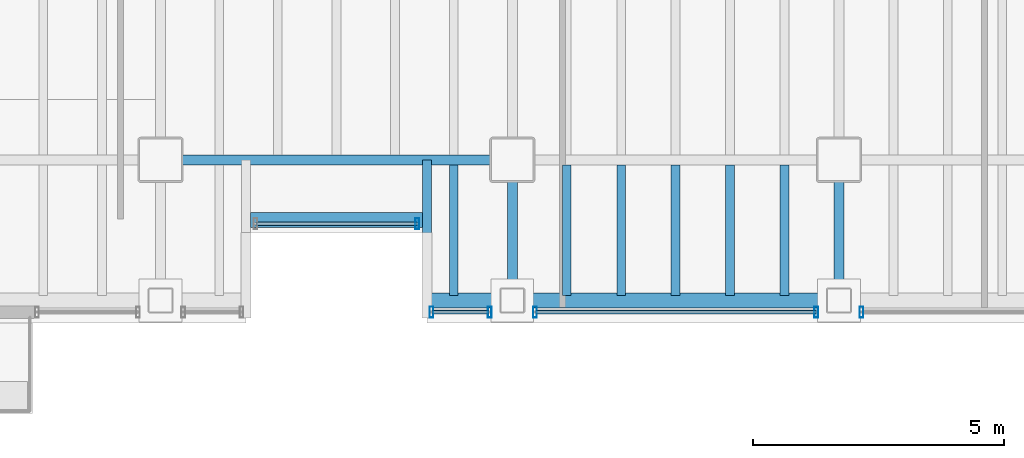
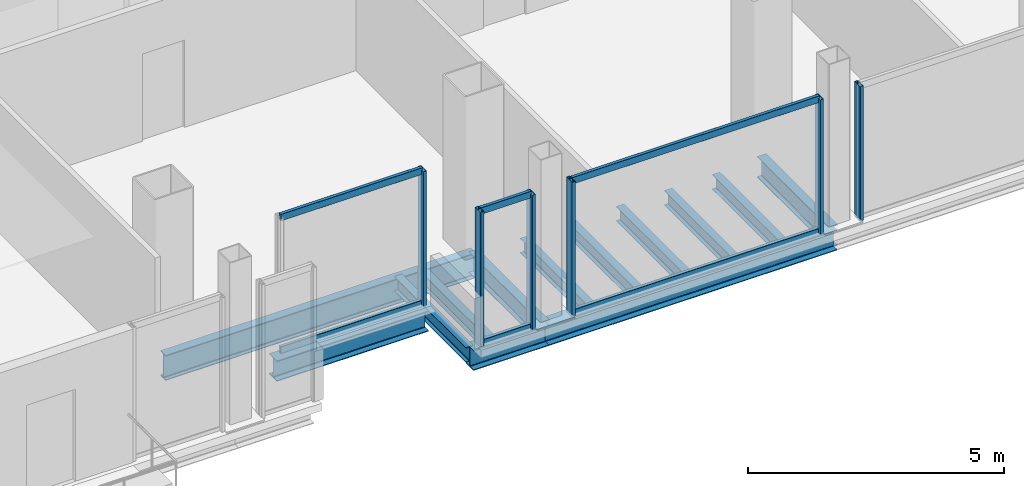
# One storey, part 4 of 15: 13 beams, 12 members, 4 elements without a shape of their own.
"""IFC4 building model written with IfcOpenShell, lengths in metres."""

from ifc_helpers import new_model, si_unit, direction, frame, origin, origin_2d, place, context, subcontext, project, spatial, hollow_rectangle, i_section, extrude, material, material_profile, profile_set, type_object, element, aggregate, save


model = new_model("IFC4")

# Units and contexts
model_context = context("Model", 3, precision=1e-05, world=origin(), true_north=direction((0.0, 1.0)))
body_context = subcontext(model_context, "Body", "Model", "MODEL_VIEW")
ifc_project = project(units=[si_unit("LENGTHUNIT", "METRE"), si_unit("AREAUNIT", "SQUARE_METRE"), si_unit("VOLUMEUNIT", "CUBIC_METRE"), si_unit("PLANEANGLEUNIT", "RADIAN"), si_unit("MASSUNIT", "GRAM", prefix="KILO")], contexts=[model_context])

# Site, building, storey
site_placement = place(None, origin())
site = spatial("IfcSite", under=ifc_project, at=site_placement, CompositionType="ELEMENT")
building_placement = place(site_placement, origin())
building = spatial("IfcBuilding", under=site, at=building_placement, Name="Noeulbin Bourse Tower", CompositionType="ELEMENT")
storey_placement = place(building_placement, frame((0.0, 0.0, 189.0)))
storey = spatial("IfcBuildingStorey", under=building, at=storey_placement, Name="L47", CompositionType="ELEMENT", Elevation=189.0)

# Beams
ifc_material_1 = material(Name="Steel S355", Category="steel")
ifc_material_profile_1 = material_profile(ifc_material_1, i_section(OverallWidth=0.199951171875, OverallDepth=0.5, WebThickness=0.010009765625, FlangeThickness=0.01611328125, FilletRadius=0.02001953125, at=origin_2d()), Name="H-500x200x10x16", Category="LoadBearing")
ifc_profile_set_1 = profile_set([ifc_material_profile_1], Name="Steel S355")
beam_type_1 = type_object("IfcBeamType", Name="BM-GRD-500", PredefinedType="USERDEFINED", material=ifc_profile_set_1)
for number, where, z_axis, x_axis, name in (
    (1, (31.0, 17.199951171875, -0.429931640625), (0.0, 1.0, 0.0), (-1.0, 0.0, 0.0), "Tower Primary Girder NS L47-3.1"),
    (2, (37.5, 17.199951171875, -0.429931640625), (0.0, 1.0, 0.0), (-1.0, 0.0, 0.0), "Tower Primary Girder NS L47-4.1"),
):
    element("IfcBeam", number, at=place(storey_placement, frame(where, z_axis=z_axis, x_axis=x_axis)), inside=storey, type_object=beam_type_1, Name=name, ObjectType="GIRDER", PredefinedType="USERDEFINED", context=body_context, shape_type="SweptSolid", body=[
        extrude(i_section(OverallWidth=0.199951171875, OverallDepth=0.5, WebThickness=0.010009765625, FlangeThickness=0.01611328125, FilletRadius=0.02001953125, at=origin_2d()), origin(), (0.0, 0.0, 1.0), 2.800048828125),
    ])
ifc_material_profile_2 = material_profile(ifc_material_1, i_section(OverallWidth=0.199951171875, OverallDepth=0.60009765625, WebThickness=0.010986328125, FlangeThickness=0.01708984375, FilletRadius=0.02197265625, at=origin_2d()), Name="H-600x200x11x17", Category="LoadBearing")
ifc_profile_set_2 = profile_set([ifc_material_profile_2], Name="Steel S355")
beam_type_2 = type_object("IfcBeamType", Name="BM-GRD-600", PredefinedType="USERDEFINED", material=ifc_profile_set_2)
beam_1_placement = place(storey_placement, frame((24.0, 20.0, -0.47998046875), z_axis=(1.0, 0.0, 0.0), x_axis=(0.0, 1.0, 0.0)))
element("IfcBeam", 3, at=beam_1_placement, inside=storey, type_object=beam_type_2, Name="Tower Primary Girder EW L47-1.3", ObjectType="GIRDER", PredefinedType="USERDEFINED", context=body_context, shape_type="SweptSolid", body=[
    extrude(i_section(OverallWidth=0.199951171875, OverallDepth=0.60009765625, WebThickness=0.010986328125, FlangeThickness=0.01708984375, FilletRadius=0.02197265625, at=origin_2d()), origin(), (0.0, 0.0, 1.0), 7.0),
])
ifc_material_profile_3 = material_profile(ifc_material_1, i_section(OverallWidth=0.175048828125, OverallDepth=0.35009765625, WebThickness=0.007080078125, FlangeThickness=0.010986328125, FilletRadius=0.013916015625, at=origin_2d()), Name="H-350x175x7x11", Category="LoadBearing")
ifc_profile_set_3 = profile_set([ifc_material_profile_3], Name="Steel S355")
beam_type_3 = type_object("IfcBeamType", Name="BM-JST-350", PredefinedType="JOIST", material=ifc_profile_set_3)
beam_2_placement = place(storey_placement, frame((29.300048828125, 17.199951171875, -0.35498046875), z_axis=(0.0, 1.0, 0.0), x_axis=(-1.0, 0.0, 0.0)))
element("IfcBeam", 4, at=beam_2_placement, inside=storey, type_object=beam_type_3, Name="BM-L47-SRT-E", PredefinedType="JOIST", context=body_context, shape_type="SweptSolid", body=[
    extrude(i_section(OverallWidth=0.175048828125, OverallDepth=0.35009765625, WebThickness=0.007080078125, FlangeThickness=0.010986328125, FilletRadius=0.013916015625, at=origin_2d()), origin(), (0.0, 0.0, 1.0), 2.800048828125),
])
for number, where, z_axis, x_axis, name in (
    (5, (29.833251953125, 17.300048828125, -0.35498046875), (0.0, 1.0, 0.0), (-1.0, 0.0, 0.0), "Tower Composite Joist L47-34"),
    (6, (32.083251953125, 17.300048828125, -0.35498046875), (0.0, 1.0, 0.0), (-1.0, 0.0, 0.0), "Tower Composite Joist L47-37"),
    (7, (33.166748046875, 17.300048828125, -0.35498046875), (0.0, 1.0, 0.0), (-1.0, 0.0, 0.0), "Tower Composite Joist L47-40"),
    (8, (34.25, 17.300048828125, -0.35498046875), (0.0, 1.0, 0.0), (-1.0, 0.0, 0.0), "Tower Composite Joist L47-43"),
    (9, (35.333251953125, 17.300048828125, -0.35498046875), (0.0, 1.0, 0.0), (-1.0, 0.0, 0.0), "Tower Composite Joist L47-46"),
    (10, (36.416748046875, 17.300048828125, -0.35498046875), (0.0, 1.0, 0.0), (-1.0, 0.0, 0.0), "Tower Composite Joist L47-49"),
):
    element("IfcBeam", number, at=place(storey_placement, frame(where, z_axis=z_axis, x_axis=x_axis)), inside=storey, type_object=beam_type_3, Name=name, PredefinedType="JOIST", context=body_context, shape_type="SweptSolid", body=[
        extrude(i_section(OverallWidth=0.175048828125, OverallDepth=0.35009765625, WebThickness=0.007080078125, FlangeThickness=0.010986328125, FilletRadius=0.013916015625, at=origin_2d()), origin(), (0.0, 0.0, 1.0), 2.599853515625),
    ])
ifc_material_profile_4 = material_profile(ifc_material_1, i_section(OverallWidth=0.300048828125, OverallDepth=0.488037109375, WebThickness=0.010986328125, FlangeThickness=0.01806640625, FilletRadius=0.02197265625, at=origin_2d()), Name="H-488x300x11x18", Category="LoadBearing")
ifc_profile_set_4 = profile_set([ifc_material_profile_4], Name="Steel S355")
beam_type_4 = type_object("IfcBeamType", Name="BM-SPN-488", PredefinedType="SPANDREL", material=ifc_profile_set_4)
beam_3_placement = place(storey_placement, frame((25.78759765625, 18.800048828125, -0.424072265625), z_axis=(1.0, 0.0, 0.0), x_axis=(0.0, 1.0, 0.0)))
element("IfcBeam", 11, at=beam_3_placement, inside=storey, type_object=beam_type_4, Name="South Recess Spandrel L47-2B", PredefinedType="SPANDREL", context=body_context, shape_type="SweptSolid", body=[
    extrude(i_section(OverallWidth=0.300048828125, OverallDepth=0.488037109375, WebThickness=0.010986328125, FlangeThickness=0.01806640625, FilletRadius=0.02197265625, at=origin_2d()), origin(), (0.0, 0.0, 1.0), 3.4248046875),
])
beam_4_placement = place(storey_placement, frame((29.300048828125, 17.199951171875, -0.424072265625), z_axis=(1.0, 0.0, 0.0), x_axis=(0.0, 1.0, 0.0)))
element("IfcBeam", 12, at=beam_4_placement, inside=storey, type_object=beam_type_4, Name="South Spandrel L47-2C", PredefinedType="SPANDREL", context=body_context, shape_type="SweptSolid", body=[
    extrude(i_section(OverallWidth=0.300048828125, OverallDepth=0.488037109375, WebThickness=0.010986328125, FlangeThickness=0.01806640625, FilletRadius=0.02197265625, at=origin_2d()), origin(), (0.0, 0.0, 1.0), 1.699951171875),
])
beam_5_placement = place(storey_placement, frame((31.0, 17.199951171875, -0.424072265625), z_axis=(1.0, 0.0, 0.0), x_axis=(0.0, 1.0, 0.0)))
element("IfcBeam", 13, at=beam_5_placement, inside=storey, type_object=beam_type_4, Name="South Spandrel L47-3", PredefinedType="SPANDREL", context=body_context, shape_type="SweptSolid", body=[
    extrude(i_section(OverallWidth=0.300048828125, OverallDepth=0.488037109375, WebThickness=0.010986328125, FlangeThickness=0.01806640625, FilletRadius=0.02197265625, at=origin_2d()), origin(), (0.0, 0.0, 1.0), 6.5),
])

# Curtain wall, member
ifc_material_2 = material(Name="Dark Tinted Triple Glazing", Category="glass")
curtain_wall_type = type_object("IfcCurtainWallType", Name="CW-SYS-3", PredefinedType="NOTDEFINED", material=ifc_material_2)
curtain_wall_1_placement = place(storey_placement, origin())
curtain_wall_1 = element("IfcCurtainWall", 14, at=curtain_wall_1_placement, inside=storey, type_object=curtain_wall_type, Name="Unitised Curtain Wall CW-L47-SREC", PredefinedType="NOTDEFINED")
ifc_material_3 = material(Name="Anodised Aluminium 6063-T6", Category="aluminium")
ifc_material_profile_5 = material_profile(ifc_material_3, hollow_rectangle(XDim=0.074951171875, YDim=0.219970703125, WallThickness=0.0048828125, InnerFilletRadius=0.00244140625, OuterFilletRadius=0.0048828125, at=origin_2d()), Name="ALU-MULL-75x220x5", Category="LoadBearing")
ifc_profile_set_5 = profile_set([ifc_material_profile_5], Name="Anodised Aluminium 6063-T6")
member_type_1 = type_object("IfcMemberType", Name="CW-SYS-3-MUL", PredefinedType="MULLION", material=ifc_profile_set_5)
member_1_placement = place(storey_placement, frame((29.110107421875, 18.72998046875, -0.02001953125), z_axis=(0.0, 0.0, 1.0), x_axis=(1.0, 0.0, 0.0)))
member_1 = element("IfcMember", 15, at=member_1_placement, type_object=member_type_1, Name="Curtain Wall Mullion CW-L47-SREC-M01", PredefinedType="MULLION", context=body_context, shape_type="SweptSolid", body=[
    extrude(hollow_rectangle(XDim=0.074951171875, YDim=0.219970703125, WallThickness=0.0048828125, InnerFilletRadius=0.00244140625, OuterFilletRadius=0.0048828125, at=origin_2d()), origin(), (0.0, 0.0, 1.0), 3.219970703125),
])

# Curtain wall, members
curtain_wall_2_placement = place(storey_placement, origin())
curtain_wall_2 = element("IfcCurtainWall", 16, at=curtain_wall_2_placement, inside=storey, type_object=curtain_wall_type, Name="Unitised Curtain Wall CW-L47-S3-S1", PredefinedType="NOTDEFINED")
member_2_placement = place(storey_placement, frame((29.389892578125, 16.969970703125, -0.02001953125), z_axis=(0.0, 0.0, 1.0), x_axis=(1.0, 0.0, 0.0)))
member_2 = element("IfcMember", 17, at=member_2_placement, type_object=member_type_1, Name="Curtain Wall Mullion CW-L47-S3-S1-M00", PredefinedType="MULLION", context=body_context, shape_type="SweptSolid", body=[
    extrude(hollow_rectangle(XDim=0.074951171875, YDim=0.219970703125, WallThickness=0.0048828125, InnerFilletRadius=0.00244140625, OuterFilletRadius=0.0048828125, at=origin_2d()), origin(), (0.0, 0.0, 1.0), 3.219970703125),
])
member_3_placement = place(storey_placement, frame((30.550048828125, 16.969970703125, -0.02001953125), z_axis=(0.0, 0.0, 1.0), x_axis=(1.0, 0.0, 0.0)))
member_3 = element("IfcMember", 18, at=member_3_placement, type_object=member_type_1, Name="Curtain Wall Mullion CW-L47-S3-S1-M01", PredefinedType="MULLION", context=body_context, shape_type="SweptSolid", body=[
    extrude(hollow_rectangle(XDim=0.074951171875, YDim=0.219970703125, WallThickness=0.0048828125, InnerFilletRadius=0.00244140625, OuterFilletRadius=0.0048828125, at=origin_2d()), origin(), (0.0, 0.0, 1.0), 3.219970703125),
])

curtain_wall_3_placement = place(storey_placement, origin())
curtain_wall_3 = element("IfcCurtainWall", 19, at=curtain_wall_3_placement, inside=storey, type_object=curtain_wall_type, Name="Unitised Curtain Wall CW-L47-S3-S2", PredefinedType="NOTDEFINED")
member_4_placement = place(storey_placement, frame((31.449951171875, 16.969970703125, -0.02001953125), z_axis=(0.0, 0.0, 1.0), x_axis=(1.0, 0.0, 0.0)))
member_4 = element("IfcMember", 20, at=member_4_placement, type_object=member_type_1, Name="Curtain Wall Mullion CW-L47-S3-S2-M00", PredefinedType="MULLION", context=body_context, shape_type="SweptSolid", body=[
    extrude(hollow_rectangle(XDim=0.074951171875, YDim=0.219970703125, WallThickness=0.0048828125, InnerFilletRadius=0.00244140625, OuterFilletRadius=0.0048828125, at=origin_2d()), origin(), (0.0, 0.0, 1.0), 3.219970703125),
])
member_5_placement = place(storey_placement, frame((37.050048828125, 16.969970703125, -0.02001953125), z_axis=(0.0, 0.0, 1.0), x_axis=(1.0, 0.0, 0.0)))
member_5 = element("IfcMember", 21, at=member_5_placement, type_object=member_type_1, Name="Curtain Wall Mullion CW-L47-S3-S2-M01", PredefinedType="MULLION", context=body_context, shape_type="SweptSolid", body=[
    extrude(hollow_rectangle(XDim=0.074951171875, YDim=0.219970703125, WallThickness=0.0048828125, InnerFilletRadius=0.00244140625, OuterFilletRadius=0.0048828125, at=origin_2d()), origin(), (0.0, 0.0, 1.0), 3.219970703125),
])

# Curtain wall, member
curtain_wall_4_placement = place(storey_placement, origin())
curtain_wall_4 = element("IfcCurtainWall", 22, at=curtain_wall_4_placement, inside=storey, type_object=curtain_wall_type, Name="Unitised Curtain Wall CW-L47-S3-S3", PredefinedType="NOTDEFINED")
member_6_placement = place(storey_placement, frame((37.949951171875, 16.969970703125, -0.02001953125), z_axis=(0.0, 0.0, 1.0), x_axis=(1.0, 0.0, 0.0)))
member_6 = element("IfcMember", 23, at=member_6_placement, type_object=member_type_1, Name="Curtain Wall Mullion CW-L47-S3-S3-M00", PredefinedType="MULLION", context=body_context, shape_type="SweptSolid", body=[
    extrude(hollow_rectangle(XDim=0.074951171875, YDim=0.219970703125, WallThickness=0.0048828125, InnerFilletRadius=0.00244140625, OuterFilletRadius=0.0048828125, at=origin_2d()), origin(), (0.0, 0.0, 1.0), 3.219970703125),
])
aggregate(curtain_wall_4, [member_6])

# Member
ifc_material_profile_6 = material_profile(ifc_material_3, hollow_rectangle(XDim=0.074951171875, YDim=0.159912109375, WallThickness=0.0048828125, InnerFilletRadius=0.00244140625, OuterFilletRadius=0.0048828125, at=origin_2d()), Name="ALU-TRAN-75x160x5", Category="LoadBearing")
ifc_profile_set_6 = profile_set([ifc_material_profile_6], Name="Anodised Aluminium 6063-T6")
member_type_2 = type_object("IfcMemberType", Name="CW-SYS-3-TRN", PredefinedType="USERDEFINED", material=ifc_profile_set_6)
member_7_placement = place(storey_placement, frame((25.89990234375, 18.72998046875, 0.010009765625), z_axis=(1.0, 0.0, 0.0), x_axis=(0.0, 1.0, 0.0)))
member_7 = element("IfcMember", 24, at=member_7_placement, type_object=member_type_2, Name="Curtain Wall Transom CW-L47-SREC-T00", ObjectType="TRANSOM", PredefinedType="USERDEFINED", context=body_context, shape_type="SweptSolid", body=[
    extrude(hollow_rectangle(XDim=0.074951171875, YDim=0.159912109375, WallThickness=0.0048828125, InnerFilletRadius=0.00244140625, OuterFilletRadius=0.0048828125, at=origin_2d()), origin(), (0.0, 0.0, 1.0), 3.2001953125),
])

member_8_placement = place(storey_placement, frame((25.89990234375, 18.72998046875, 3.169921875), z_axis=(1.0, 0.0, 0.0), x_axis=(0.0, 1.0, 0.0)))
member_8 = element("IfcMember", 25, at=member_8_placement, type_object=member_type_2, Name="Curtain Wall Transom CW-L47-SREC-T01", ObjectType="TRANSOM", PredefinedType="USERDEFINED", context=body_context, shape_type="SweptSolid", body=[
    extrude(hollow_rectangle(XDim=0.074951171875, YDim=0.159912109375, WallThickness=0.0048828125, InnerFilletRadius=0.00244140625, OuterFilletRadius=0.0048828125, at=origin_2d()), origin(), (0.0, 0.0, 1.0), 3.2001953125),
])

aggregate(curtain_wall_1, [member_1, member_7, member_8])

member_9_placement = place(storey_placement, frame((29.39990234375, 16.969970703125, 0.010009765625), z_axis=(1.0, 0.0, 0.0), x_axis=(0.0, 1.0, 0.0)))
member_9 = element("IfcMember", 26, at=member_9_placement, type_object=member_type_2, Name="Curtain Wall Transom CW-L47-S3-S1-T00", ObjectType="TRANSOM", PredefinedType="USERDEFINED", context=body_context, shape_type="SweptSolid", body=[
    extrude(hollow_rectangle(XDim=0.074951171875, YDim=0.159912109375, WallThickness=0.0048828125, InnerFilletRadius=0.00244140625, OuterFilletRadius=0.0048828125, at=origin_2d()), origin(), (0.0, 0.0, 1.0), 1.14013671875),
])

member_10_placement = place(storey_placement, frame((29.39990234375, 16.969970703125, 3.169921875), z_axis=(1.0, 0.0, 0.0), x_axis=(0.0, 1.0, 0.0)))
member_10 = element("IfcMember", 27, at=member_10_placement, type_object=member_type_2, Name="Curtain Wall Transom CW-L47-S3-S1-T01", ObjectType="TRANSOM", PredefinedType="USERDEFINED", context=body_context, shape_type="SweptSolid", body=[
    extrude(hollow_rectangle(XDim=0.074951171875, YDim=0.159912109375, WallThickness=0.0048828125, InnerFilletRadius=0.00244140625, OuterFilletRadius=0.0048828125, at=origin_2d()), origin(), (0.0, 0.0, 1.0), 1.14013671875),
])

aggregate(curtain_wall_2, [member_2, member_3, member_9, member_10])

member_11_placement = place(storey_placement, frame((31.4599609375, 16.969970703125, 0.010009765625), z_axis=(1.0, 0.0, 0.0), x_axis=(0.0, 1.0, 0.0)))
member_11 = element("IfcMember", 28, at=member_11_placement, type_object=member_type_2, Name="Curtain Wall Transom CW-L47-S3-S2-T00", ObjectType="TRANSOM", PredefinedType="USERDEFINED", context=body_context, shape_type="SweptSolid", body=[
    extrude(hollow_rectangle(XDim=0.074951171875, YDim=0.159912109375, WallThickness=0.0048828125, InnerFilletRadius=0.00244140625, OuterFilletRadius=0.0048828125, at=origin_2d()), origin(), (0.0, 0.0, 1.0), 5.580078125),
])

member_12_placement = place(storey_placement, frame((31.4599609375, 16.969970703125, 3.169921875), z_axis=(1.0, 0.0, 0.0), x_axis=(0.0, 1.0, 0.0)))
member_12 = element("IfcMember", 29, at=member_12_placement, type_object=member_type_2, Name="Curtain Wall Transom CW-L47-S3-S2-T01", ObjectType="TRANSOM", PredefinedType="USERDEFINED", context=body_context, shape_type="SweptSolid", body=[
    extrude(hollow_rectangle(XDim=0.074951171875, YDim=0.159912109375, WallThickness=0.0048828125, InnerFilletRadius=0.00244140625, OuterFilletRadius=0.0048828125, at=origin_2d()), origin(), (0.0, 0.0, 1.0), 5.580078125),
])

aggregate(curtain_wall_3, [member_4, member_5, member_11, member_12])

save(model, "model.ifc")
